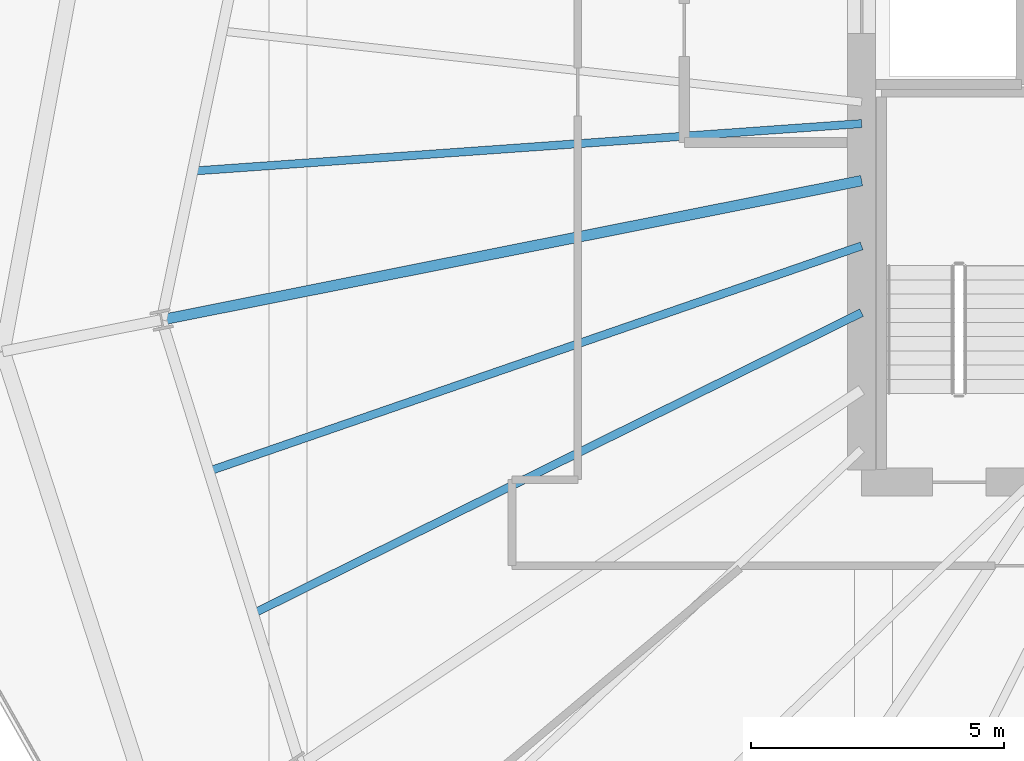
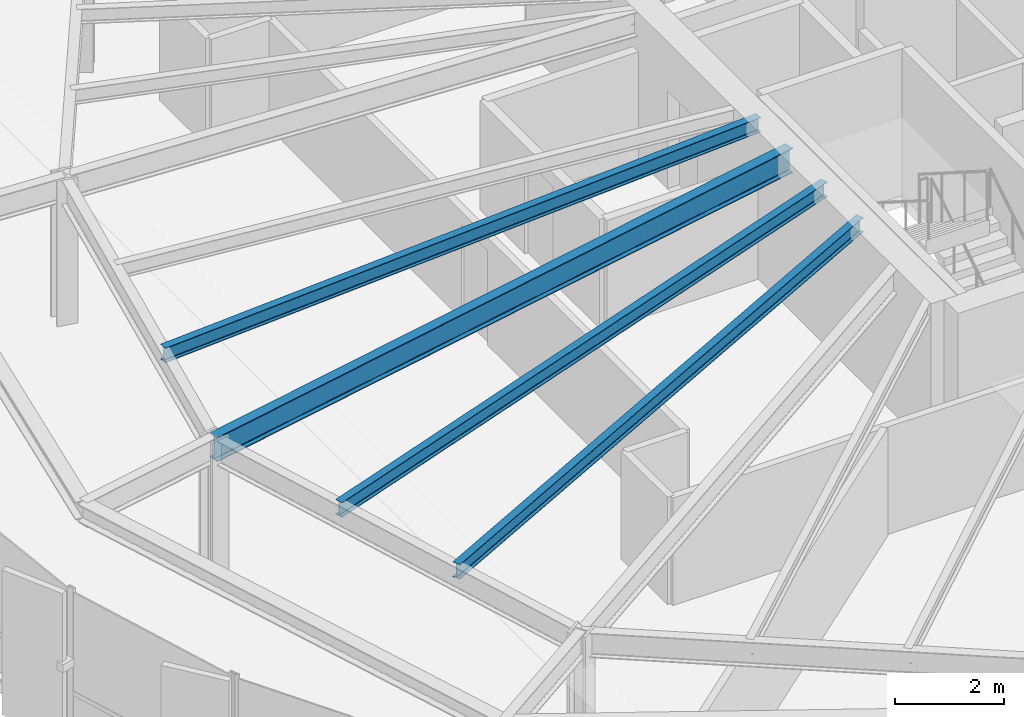
# One storey, part 8 of 34: 4 beams.
"""IFC4 building model written with IfcOpenShell, lengths in metres."""

from ifc_helpers import new_model, si_unit, direction, frame, origin, origin_2d, place, context, subcontext, project, spatial, i_section, extrude, source, transform, mapped, material, material_profile, profile_set, type_object, element, save


model = new_model("IFC4")

# Units and contexts
model_context = context("Model", 3, precision=1e-05, world=origin(), true_north=direction((0.0, 1.0)))
body_context = subcontext(model_context, "Body", "Model", "MODEL_VIEW")
ifc_project = project(units=[si_unit("LENGTHUNIT", "METRE"), si_unit("AREAUNIT", "SQUARE_METRE"), si_unit("VOLUMEUNIT", "CUBIC_METRE"), si_unit("PLANEANGLEUNIT", "RADIAN"), si_unit("MASSUNIT", "GRAM", prefix="KILO"), si_unit("THERMODYNAMICTEMPERATUREUNIT", "KELVIN")], contexts=[model_context])

# Site, building, storey
site_placement = place(None, origin())
site = spatial("IfcSite", under=ifc_project, at=site_placement, CompositionType="ELEMENT")
building_placement = place(site_placement, origin())
building = spatial("IfcBuilding", under=site, at=building_placement, Name="Kethvar Cultural Tower", CompositionType="ELEMENT")
storey_placement = place(building_placement, frame((0.0, 0.0, 128.800048828125)))
storey = spatial("IfcBuildingStorey", under=building, at=storey_placement, Name="L32", CompositionType="ELEMENT", Elevation=128.800048828125)

# Beams
ifc_material = material(Name="Steel S355J2", Category="steel")
ifc_material_profile_1 = material_profile(ifc_material, i_section(OverallWidth=0.2099609375, OverallDepth=0.550048828125, WebThickness=0.010986328125, FlangeThickness=0.01708984375, FilletRadius=0.02392578125, at=origin_2d()), Name="Steel S355J2 — IPE550")
ifc_profile_set_1 = profile_set([ifc_material_profile_1], Name="Steel S355J2 — IPE550")
beam_type_1 = type_object("IfcBeamType", Name="BM-IPE550", PredefinedType="BEAM", material=ifc_profile_set_1)
shared_shape_1 = source(origin(), body_context, "Body", "SweptSolid", [
    extrude(i_section(OverallWidth=0.2099609375, OverallDepth=0.550048828125, WebThickness=0.010986328125, FlangeThickness=0.01708984375, FilletRadius=0.02392578125, at=origin_2d()), origin(), (0.0, 0.0, 1.0), 14.085205078125),
])
beam_1_placement = place(storey_placement, frame((38.0, 26.049560546875, 3.02294921875), z_axis=(-0.98078679373, -0.195082713854, 0.0), x_axis=(0.195082713854, -0.98078679373, 0.0)))
element("IfcBeam", 1, at=beam_1_placement, inside=storey, type_object=beam_type_1, Name="L32 Primary Radial Beam RB-09", PredefinedType="BEAM", context=body_context, shape_type="MappedRepresentation", body=[
    mapped(shared_shape_1, transform((0.0, 0.0, 0.0), scale=1.0)),
])
ifc_material_profile_2 = material_profile(ifc_material, i_section(OverallWidth=0.159912109375, OverallDepth=0.330078125, WebThickness=0.007568359375, FlangeThickness=0.011474609375, FilletRadius=0.01806640625, at=origin_2d()), Name="Steel S355J2 — IPE330")
ifc_profile_set_2 = profile_set([ifc_material_profile_2], Name="Steel S355J2 — IPE330")
beam_type_2 = type_object("IfcBeamType", Name="BM-J330", PredefinedType="JOIST", material=ifc_profile_set_2)
shared_shape_2 = source(origin(), body_context, "Body", "SweptSolid", [
    extrude(i_section(OverallWidth=0.159912109375, OverallDepth=0.330078125, WebThickness=0.007568359375, FlangeThickness=0.011474609375, FilletRadius=0.01806640625, at=origin_2d()), origin(), (0.0, 0.0, 1.0), 13.234619140625),
])
beam_2_placement = place(storey_placement, frame((38.0, 27.175537109375, 3.133056640625), z_axis=(-0.997490530945, -0.070800004767, 0.0), x_axis=(0.070800004767, -0.997490530945, 0.0)))
element("IfcBeam", 2, at=beam_2_placement, inside=storey, type_object=beam_type_2, Name="L32 Composite Floor Joist J-08B", PredefinedType="JOIST", context=body_context, shape_type="MappedRepresentation", body=[
    mapped(shared_shape_2, transform((0.0, 0.0, 0.0), scale=1.0)),
])
shared_shape_3 = source(origin(), body_context, "Body", "SweptSolid", [
    extrude(i_section(OverallWidth=0.159912109375, OverallDepth=0.330078125, WebThickness=0.007568359375, FlangeThickness=0.011474609375, FilletRadius=0.01806640625, at=origin_2d()), origin(), (0.0, 0.0, 1.0), 13.630615234375),
])
beam_3_placement = place(storey_placement, frame((38.0, 24.762451171875, 3.133056640625), z_axis=(-0.945269577646, -0.326290400682, 0.0), x_axis=(0.326290400682, -0.945269577646, 0.0)))
element("IfcBeam", 3, at=beam_3_placement, inside=storey, type_object=beam_type_2, Name="L32 Composite Floor Joist J-09A", PredefinedType="JOIST", context=body_context, shape_type="MappedRepresentation", body=[
    mapped(shared_shape_3, transform((0.0, 0.0, 0.0), scale=1.0)),
])
shared_shape_4 = source(origin(), body_context, "Body", "SweptSolid", [
    extrude(i_section(OverallWidth=0.159912109375, OverallDepth=0.330078125, WebThickness=0.007568359375, FlangeThickness=0.011474609375, FilletRadius=0.01806640625, at=origin_2d()), origin(), (0.0, 0.0, 1.0), 13.39892578125),
])
beam_4_placement = place(storey_placement, frame((38.0, 23.44580078125, 3.133056640625), z_axis=(-0.896292467417, -0.44346342899, 0.0), x_axis=(0.44346342899, -0.896292467417, 0.0)))
element("IfcBeam", 4, at=beam_4_placement, inside=storey, type_object=beam_type_2, Name="L32 Composite Floor Joist J-09B", PredefinedType="JOIST", context=body_context, shape_type="MappedRepresentation", body=[
    mapped(shared_shape_4, transform((0.0, 0.0, 0.0), scale=1.0)),
])

save(model, "model.ifc")
